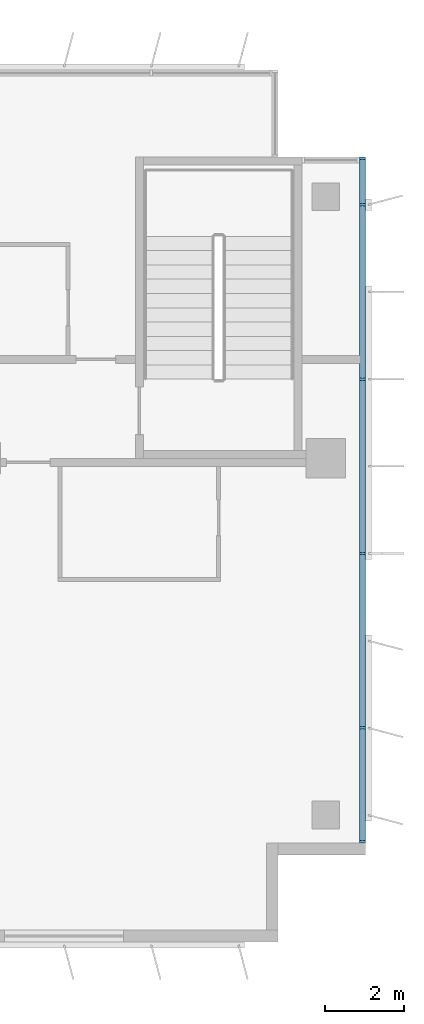
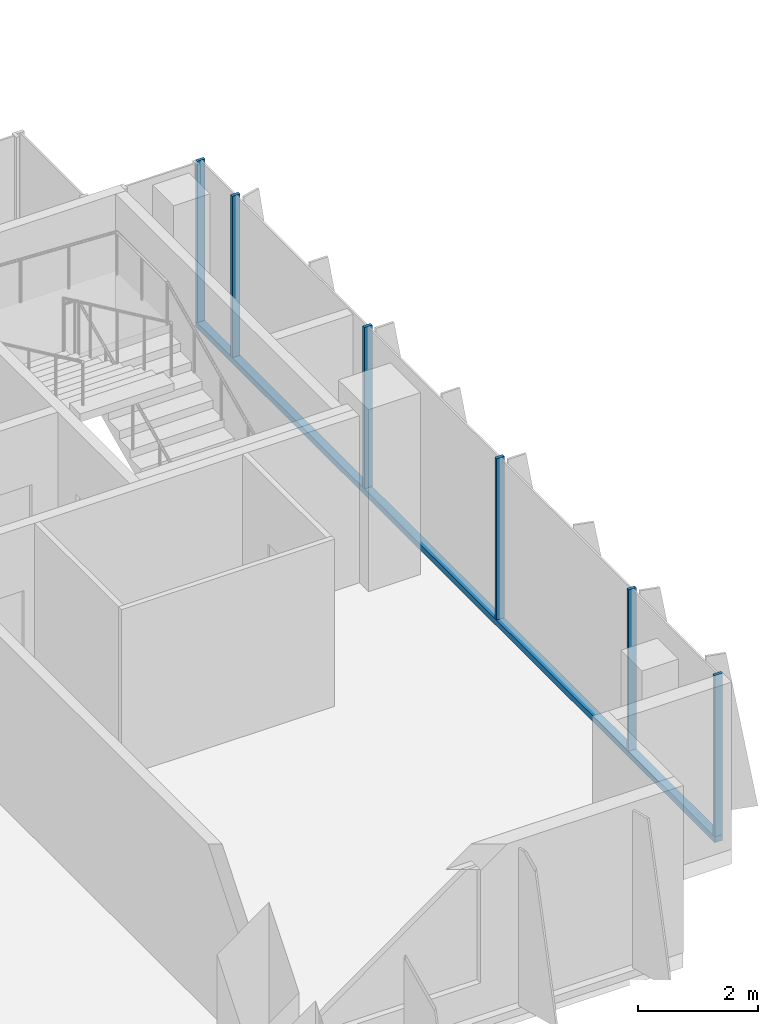
# One storey, part 8 of 21: 7 members, 1 element without a shape of its own.
"""IFC4 building model written with IfcOpenShell, lengths in metres."""

from ifc_helpers import new_model, si_unit, direction, frame, origin, origin_2d, place, context, subcontext, project, spatial, rectangle, extrude, source, transform, mapped, material, material_profile, profile_set, type_object, element, aggregate, save


model = new_model("IFC4")

# Units and contexts
model_context = context("Model", 3, precision=1e-05, world=origin(), true_north=direction((0.0, 1.0)))
body_context = subcontext(model_context, "Body", "Model", "MODEL_VIEW")
ifc_project = project(units=[si_unit("LENGTHUNIT", "METRE"), si_unit("AREAUNIT", "SQUARE_METRE"), si_unit("VOLUMEUNIT", "CUBIC_METRE"), si_unit("PLANEANGLEUNIT", "RADIAN"), si_unit("MASSUNIT", "GRAM", prefix="KILO")], contexts=[model_context])

# Site, building, storey
site_placement = place(None, origin())
site = spatial("IfcSite", under=ifc_project, at=site_placement, CompositionType="ELEMENT")
building_placement = place(site_placement, origin())
building = spatial("IfcBuilding", under=site, at=building_placement, Name="Kemantara Hotel Tower", CompositionType="ELEMENT")
storey_placement = place(building_placement, frame((0.0, 0.0, 215.39990234375)))
storey = spatial("IfcBuildingStorey", under=building, at=storey_placement, Name="L53", CompositionType="ELEMENT", Elevation=215.39990234375)

# Curtain wall, members
ifc_material_1 = material(Name="Low-E tinted double insulated glass 36 mm", Category="glass")
curtain_wall_type = type_object("IfcCurtainWallType", Name="TOWER CURTAIN WALL, FRONT FACES", PredefinedType="USERDEFINED", material=ifc_material_1)
curtain_wall_placement = place(storey_placement, origin())
curtain_wall = element("IfcCurtainWall", 1, at=curtain_wall_placement, inside=storey, type_object=curtain_wall_type, Name="CW4 L53 T3-R11-1", ObjectType="TOWER CURTAIN WALL, FRONT FACES", PredefinedType="USERDEFINED")
ifc_material_2 = material(Name="Aluminium 6063-T6 bronze anodised", Category="aluminium")
ifc_material_profile_1 = material_profile(ifc_material_2, rectangle(XDim=0.14990234375, YDim=0.1201171875, at=origin_2d()), Name="TOWER CURTAIN WALL, FRONT FACES TRANSOM")
ifc_profile_set_1 = profile_set([ifc_material_profile_1], Name="Aluminium 6063-T6 bronze anodised")
member_type_1 = type_object("IfcMemberType", Name="TOWER CURTAIN WALL, FRONT FACES TRANSOM", PredefinedType="USERDEFINED", material=ifc_profile_set_1)
member_1_placement = place(storey_placement, frame((63.52490234375, 2.5, 0.06005859375), z_axis=(0.0, 1.0, 0.0), x_axis=(-1.0, 0.0, 0.0)))
member_1 = element("IfcMember", 2, at=member_1_placement, type_object=member_type_1, Name="CW4 sill transom T3-R11-1", ObjectType="TRANSOM", PredefinedType="USERDEFINED", context=body_context, shape_type="SweptSolid", body=[
    extrude(rectangle(XDim=0.14990234375, YDim=0.1201171875, at=origin_2d()), origin(), (0.0, 0.0, 1.0), 17.300048828125),
])
ifc_material_profile_2 = material_profile(ifc_material_2, rectangle(XDim=0.14990234375, YDim=0.06005859375, at=origin_2d()), Name="TOWER CURTAIN WALL, FRONT FACES MULLION")
ifc_profile_set_2 = profile_set([ifc_material_profile_2], Name="Aluminium 6063-T6 bronze anodised")
member_type_2 = type_object("IfcMemberType", Name="TOWER CURTAIN WALL, FRONT FACES MULLION", PredefinedType="MULLION", material=ifc_profile_set_2)
shared_shape = source(origin(), body_context, "Body", "SweptSolid", [
    extrude(rectangle(XDim=0.14990234375, YDim=0.06005859375, at=origin_2d()), origin(), (0.0, 0.0, 1.0), 3.280029296875),
])
member_2_placement = place(storey_placement, frame((63.52490234375, 2.530029296875, 0.1201171875), z_axis=(0.0, 0.0, 1.0), x_axis=(-1.0, 0.0, 0.0)))
member_2 = element("IfcMember", 3, at=member_2_placement, type_object=member_type_2, Name="CW4 mullion T3-R11-1.1", PredefinedType="MULLION", context=body_context, shape_type="MappedRepresentation", body=[
    mapped(shared_shape, transform((0.0, 0.0, 0.0))),
])
member_3_placement = place(storey_placement, frame((63.52490234375, 5.39990234375, 0.1201171875), z_axis=(0.0, 0.0, 1.0), x_axis=(-1.0, 0.0, 0.0)))
member_3 = element("IfcMember", 4, at=member_3_placement, type_object=member_type_2, Name="CW4 mullion T3-R11-1.2", PredefinedType="MULLION", context=body_context, shape_type="MappedRepresentation", body=[
    mapped(shared_shape, transform((0.0, 0.0, 0.0))),
])
member_4_placement = place(storey_placement, frame((63.52490234375, 9.800048828125, 0.1201171875), z_axis=(0.0, 0.0, 1.0), x_axis=(-1.0, 0.0, 0.0)))
member_4 = element("IfcMember", 5, at=member_4_placement, type_object=member_type_2, Name="CW4 mullion T3-R11-1.3", PredefinedType="MULLION", context=body_context, shape_type="MappedRepresentation", body=[
    mapped(shared_shape, transform((0.0, 0.0, 0.0))),
])
member_5_placement = place(storey_placement, frame((63.52490234375, 14.199951171875, 0.1201171875), z_axis=(0.0, 0.0, 1.0), x_axis=(-1.0, 0.0, 0.0)))
member_5 = element("IfcMember", 6, at=member_5_placement, type_object=member_type_2, Name="CW4 mullion T3-R11-1.4", PredefinedType="MULLION", context=body_context, shape_type="MappedRepresentation", body=[
    mapped(shared_shape, transform((0.0, 0.0, 0.0))),
])
member_6_placement = place(storey_placement, frame((63.52490234375, 18.60009765625, 0.1201171875), z_axis=(0.0, 0.0, 1.0), x_axis=(-1.0, 0.0, 0.0)))
member_6 = element("IfcMember", 7, at=member_6_placement, type_object=member_type_2, Name="CW4 mullion T3-R11-1.5", PredefinedType="MULLION", context=body_context, shape_type="MappedRepresentation", body=[
    mapped(shared_shape, transform((0.0, 0.0, 0.0))),
])
member_7_placement = place(storey_placement, frame((63.52490234375, 19.77001953125, 0.1201171875), z_axis=(0.0, 0.0, 1.0), x_axis=(-1.0, 0.0, 0.0)))
member_7 = element("IfcMember", 8, at=member_7_placement, type_object=member_type_2, Name="CW4 mullion T3-R11-1.6", PredefinedType="MULLION", context=body_context, shape_type="MappedRepresentation", body=[
    mapped(shared_shape, transform((0.0, 0.0, 0.0))),
])
aggregate(curtain_wall, [member_1, member_2, member_3, member_4, member_5, member_6, member_7])

save(model, "model.ifc")
